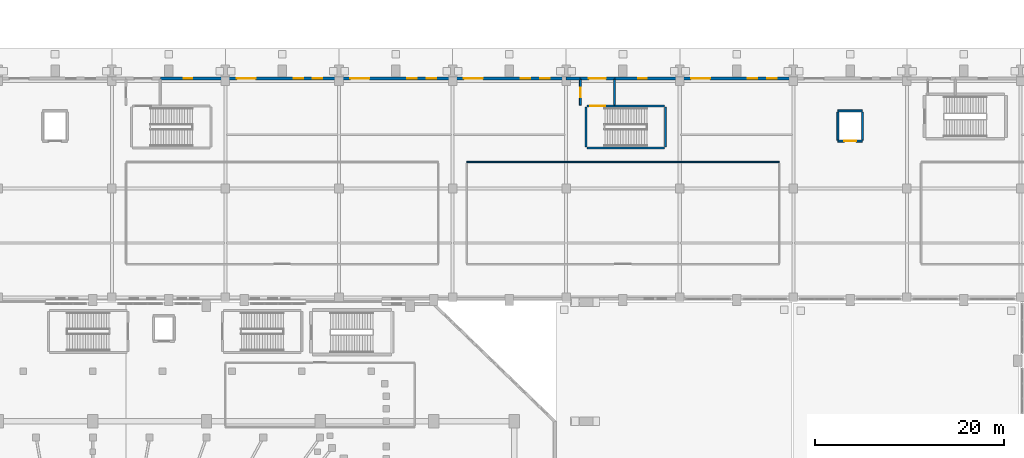
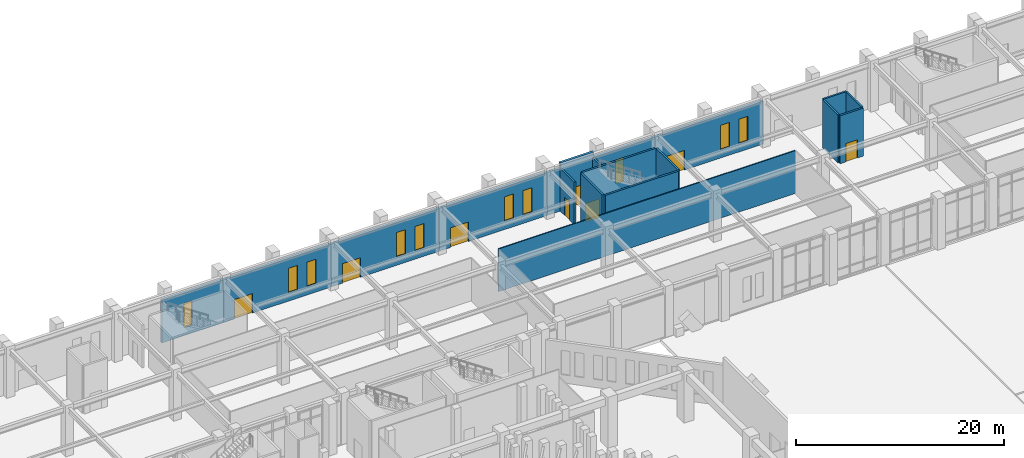
# One storey, part 120 of 143: 19 walls, 10 windows, 8 doors, 18 openings.
"""IFC4 building model written with IfcOpenShell, lengths in metres."""

from ifc_helpers import new_model, si_unit, derived_unit, direction, frame, frame_2d, origin, place, context, subcontext, project, spatial, rectangle, extrude, material, layer, layer_set, type_object, element, fill, save


model = new_model("IFC4")

# Units and contexts
model_context = context("Model", 3, precision=1e-05, world=origin(), true_north=direction((0.0, 1.0)))
body_context = subcontext(model_context, "Body", "Model", "MODEL_VIEW")
ifc_project = project(units=[si_unit("LENGTHUNIT", "METRE"), si_unit("AREAUNIT", "SQUARE_METRE"), si_unit("VOLUMEUNIT", "CUBIC_METRE"), si_unit("PLANEANGLEUNIT", "RADIAN"), si_unit("MASSUNIT", "GRAM", prefix="KILO"), derived_unit("THERMALTRANSMITTANCEUNIT", [(si_unit("MASSUNIT", "GRAM", prefix="KILO"), 1), (si_unit("TIMEUNIT", "SECOND"), -3), (si_unit("THERMODYNAMICTEMPERATUREUNIT", "KELVIN"), -1)])], contexts=[model_context])

# Site, building, storey
site_placement = place(None, origin())
site = spatial("IfcSite", under=ifc_project, at=site_placement, CompositionType="ELEMENT")
building_placement = place(site_placement, origin())
building = spatial("IfcBuilding", under=site, at=building_placement, Name="Valcora Ridge Arena", CompositionType="ELEMENT")
storey_placement = place(building_placement, origin())
storey = spatial("IfcBuildingStorey", under=building, at=storey_placement, Name="L00", CompositionType="ELEMENT", Elevation=0.0)

# Wall, opening, window
ifc_material_1 = material(Name="Bush-hammered Andean travertine on concrete backup C40/50", Category="masonry")
ifc_layer_1 = layer(ifc_material_1, 0.280029296875, Name="Bush-hammered Andean travertine on concrete backup C40/50")
ifc_layer_set_1 = layer_set([ifc_layer_1], Name="Bush-hammered Andean travertine on concrete backup C40/50")
wall_type_1 = type_object("IfcWallType", Name="TY-WALL-EW-TRV-28-50", PredefinedType="STANDARD", material=ifc_layer_set_1)
wall_1_placement = place(storey_placement, frame((65.14990234375, 131.820068359375, 0.0), z_axis=(0.0, 0.0, 1.0), x_axis=(1.0, 0.0, 0.0)))
wall_1 = element("IfcWall", 1, at=wall_1_placement, inside=storey, type_object=wall_type_1, Name="EW-TRV-28-50 WAL-EW-0109", PredefinedType="STANDARD", context=body_context, shape_type="SweptSolid", body=[
    extrude(rectangle(XDim=6.85009765625, YDim=0.280029296875, at=frame_2d((3.425048828125, 0.0))), origin(), (0.0, 0.0, 1.0), 5.028076171875),
])
opening_1_placement = place(wall_1_placement, frame((2.449951171875, 0.0, 0.949951171875)))
opening_1 = element("IfcOpeningElement", 2, at=opening_1_placement, cuts=wall_1, Name="Opening W-GLAN-90X285", PredefinedType="OPENING", context=body_context, shape_type="SweptSolid", body=[
    extrude(rectangle(XDim=0.89990234375, YDim=2.85009765625, at=frame_2d((0.449951171875, 1.425048828125))), frame((0.0, 0.14990234375, 0.0), z_axis=(0.0, -1.0, 0.0), x_axis=(1.0, 0.0, 0.0)), (0.0, 0.0, 1.0), 0.300048828125),
])
ifc_material_2 = material(Name="Low-iron solar-control double glazing SHGC 0.28", Category="glass")
window_type_1 = type_object("IfcWindowType", Name="TY-WINDOW-W-GLAN-90X285", PartitioningType="DOUBLE_PANEL_VERTICAL", PredefinedType="WINDOW", material=ifc_material_2)
window_1_placement = place(opening_1_placement, origin())
window_1 = element("IfcWindow", 3, at=window_1_placement, inside=storey, type_object=window_type_1, Name="W-GLAN-90X285 WIN-EX-0346", OverallHeight=2.85009765625, OverallWidth=0.89990234375, PartitioningType="DOUBLE_PANEL_VERTICAL", PredefinedType="WINDOW", context=body_context, shape_type="SweptSolid", body=[
    extrude(rectangle(XDim=0.89990234375, YDim=2.85009765625, at=frame_2d((0.449951171875, 1.425048828125))), frame((0.0, 0.030029296875, 0.0), z_axis=(0.0, -1.0, 0.0), x_axis=(1.0, 0.0, 0.0)), (0.0, 0.0, 1.0), 0.06005859375),
])
fill(opening_1, window_1)

# Wall, openings, door, windows
wall_2_placement = place(storey_placement, frame((72.0, 131.820068359375, 0.0), z_axis=(0.0, 0.0, 1.0), x_axis=(1.0, 0.0, 0.0)))
wall_2 = element("IfcWall", 4, at=wall_2_placement, inside=storey, type_object=wall_type_1, Name="EW-TRV-28-50 WAL-EW-0110", PredefinedType="STANDARD", context=body_context, shape_type="SweptSolid", body=[
    extrude(rectangle(XDim=12.0, YDim=0.280029296875, at=frame_2d((6.0, 0.0))), origin(), (0.0, 0.0, 1.0), 5.028076171875),
])
opening_2_placement = place(wall_2_placement, frame((1.199951171875, 0.0, 0.0)))
opening_2 = element("IfcOpeningElement", 5, at=opening_2_placement, cuts=wall_2, Name="Opening D-EXIT-2000", PredefinedType="OPENING", context=body_context, shape_type="SweptSolid", body=[
    extrude(rectangle(XDim=2.0, YDim=2.300048828125, at=frame_2d((1.0, 1.14990234375))), frame((0.0, 0.14990234375, 0.0), z_axis=(0.0, -1.0, 0.0), x_axis=(1.0, 0.0, 0.0)), (0.0, 0.0, 1.0), 0.300048828125),
])
opening_3_placement = place(wall_2_placement, frame((7.199951171875, 0.0, 1.0)))
opening_3 = element("IfcOpeningElement", 6, at=opening_3_placement, cuts=wall_2, Name="Opening W-LAN-100X285", PredefinedType="OPENING", context=body_context, shape_type="SweptSolid", body=[
    extrude(rectangle(XDim=1.0, YDim=2.85009765625, at=frame_2d((0.5, 1.425048828125))), frame((0.0, 0.14990234375, 0.0), z_axis=(0.0, -1.0, 0.0), x_axis=(1.0, 0.0, 0.0)), (0.0, 0.0, 1.0), 0.300048828125),
])
opening_4_placement = place(wall_2_placement, frame((9.25, 0.0, 1.0)))
opening_4 = element("IfcOpeningElement", 7, at=opening_4_placement, cuts=wall_2, Name="Opening W-LAN-100X285", PredefinedType="OPENING", context=body_context, shape_type="SweptSolid", body=[
    extrude(rectangle(XDim=1.0, YDim=2.85009765625, at=frame_2d((0.5, 1.425048828125))), frame((0.0, 0.14990234375, 0.0), z_axis=(0.0, -1.0, 0.0), x_axis=(1.0, 0.0, 0.0)), (0.0, 0.0, 1.0), 0.300048828125),
])
ifc_material_3 = material(Name="Thermally broken bronze aluminium glazed entrance leaf", Category="aluminium")
door_type_1 = type_object("IfcDoorType", Name="TY-DOOR-D-EXIT-2000", OperationType="NOTDEFINED", PredefinedType="DOOR", material=ifc_material_3)
door_1_placement = place(opening_2_placement, origin())
door_1 = element("IfcDoor", 8, at=door_1_placement, inside=storey, type_object=door_type_1, Name="D-EXIT-2000 DOR-EX-0028", OperationType="DOUBLE_DOOR_SINGLE_SWING", OverallHeight=2.300048828125, OverallWidth=2.0, PredefinedType="DOOR", context=body_context, shape_type="SweptSolid", body=[
    extrude(rectangle(XDim=2.0, YDim=2.300048828125, at=frame_2d((1.0, 1.14990234375))), frame((0.0, 0.02490234375, 0.0), z_axis=(0.0, -1.0, 0.0), x_axis=(1.0, 0.0, 0.0)), (0.0, 0.0, 1.0), 0.050048828125),
])
fill(opening_2, door_1)
window_type_2 = type_object("IfcWindowType", Name="TY-WINDOW-W-LAN-100X285", PartitioningType="DOUBLE_PANEL_VERTICAL", PredefinedType="WINDOW", material=ifc_material_2)
window_2_placement = place(opening_3_placement, origin())
window_2 = element("IfcWindow", 9, at=window_2_placement, inside=storey, type_object=window_type_2, Name="W-LAN-100X285 WIN-EX-0347", OverallHeight=2.85009765625, OverallWidth=1.0, PartitioningType="DOUBLE_PANEL_VERTICAL", PredefinedType="WINDOW", context=body_context, shape_type="SweptSolid", body=[
    extrude(rectangle(XDim=1.0, YDim=2.85009765625, at=frame_2d((0.5, 1.425048828125))), frame((0.0, 0.030029296875, 0.0), z_axis=(0.0, -1.0, 0.0), x_axis=(1.0, 0.0, 0.0)), (0.0, 0.0, 1.0), 0.06005859375),
])
fill(opening_3, window_2)
window_3_placement = place(opening_4_placement, origin())
window_3 = element("IfcWindow", 10, at=window_3_placement, inside=storey, type_object=window_type_2, Name="W-LAN-100X285 WIN-EX-0348", OverallHeight=2.85009765625, OverallWidth=1.0, PartitioningType="DOUBLE_PANEL_VERTICAL", PredefinedType="WINDOW", context=body_context, shape_type="SweptSolid", body=[
    extrude(rectangle(XDim=1.0, YDim=2.85009765625, at=frame_2d((0.5, 1.425048828125))), frame((0.0, 0.030029296875, 0.0), z_axis=(0.0, -1.0, 0.0), x_axis=(1.0, 0.0, 0.0)), (0.0, 0.0, 1.0), 0.06005859375),
])
fill(opening_4, window_3)

wall_3_placement = place(storey_placement, frame((84.0, 131.820068359375, 0.0), z_axis=(0.0, 0.0, 1.0), x_axis=(1.0, 0.0, 0.0)))
wall_3 = element("IfcWall", 11, at=wall_3_placement, inside=storey, type_object=wall_type_1, Name="EW-TRV-28-50 WAL-EW-0111", PredefinedType="STANDARD", context=body_context, shape_type="SweptSolid", body=[
    extrude(rectangle(XDim=12.0, YDim=0.280029296875, at=frame_2d((6.0, 0.0))), origin(), (0.0, 0.0, 1.0), 5.028076171875),
])
opening_5_placement = place(wall_3_placement, frame((1.199951171875, 0.0, 0.0)))
opening_5 = element("IfcOpeningElement", 12, at=opening_5_placement, cuts=wall_3, Name="Opening D-EXIT-2000", PredefinedType="OPENING", context=body_context, shape_type="SweptSolid", body=[
    extrude(rectangle(XDim=2.0, YDim=2.300048828125, at=frame_2d((1.0, 1.14990234375))), frame((0.0, 0.14990234375, 0.0), z_axis=(0.0, -1.0, 0.0), x_axis=(1.0, 0.0, 0.0)), (0.0, 0.0, 1.0), 0.300048828125),
])
opening_6_placement = place(wall_3_placement, frame((7.199951171875, 0.0, 1.0)))
opening_6 = element("IfcOpeningElement", 13, at=opening_6_placement, cuts=wall_3, Name="Opening W-LAN-100X285", PredefinedType="OPENING", context=body_context, shape_type="SweptSolid", body=[
    extrude(rectangle(XDim=1.0, YDim=2.85009765625, at=frame_2d((0.5, 1.425048828125))), frame((0.0, 0.14990234375, 0.0), z_axis=(0.0, -1.0, 0.0), x_axis=(1.0, 0.0, 0.0)), (0.0, 0.0, 1.0), 0.300048828125),
])
opening_7_placement = place(wall_3_placement, frame((9.25, 0.0, 1.0)))
opening_7 = element("IfcOpeningElement", 14, at=opening_7_placement, cuts=wall_3, Name="Opening W-LAN-100X285", PredefinedType="OPENING", context=body_context, shape_type="SweptSolid", body=[
    extrude(rectangle(XDim=1.0, YDim=2.85009765625, at=frame_2d((0.5, 1.425048828125))), frame((0.0, 0.14990234375, 0.0), z_axis=(0.0, -1.0, 0.0), x_axis=(1.0, 0.0, 0.0)), (0.0, 0.0, 1.0), 0.300048828125),
])
door_2_placement = place(opening_5_placement, origin())
door_2 = element("IfcDoor", 15, at=door_2_placement, inside=storey, type_object=door_type_1, Name="D-EXIT-2000 DOR-EX-0029", OperationType="DOUBLE_DOOR_SINGLE_SWING", OverallHeight=2.300048828125, OverallWidth=2.0, PredefinedType="DOOR", context=body_context, shape_type="SweptSolid", body=[
    extrude(rectangle(XDim=2.0, YDim=2.300048828125, at=frame_2d((1.0, 1.14990234375))), frame((0.0, 0.02490234375, 0.0), z_axis=(0.0, -1.0, 0.0), x_axis=(1.0, 0.0, 0.0)), (0.0, 0.0, 1.0), 0.050048828125),
])
fill(opening_5, door_2)
window_4_placement = place(opening_6_placement, origin())
window_4 = element("IfcWindow", 16, at=window_4_placement, inside=storey, type_object=window_type_2, Name="W-LAN-100X285 WIN-EX-0349", OverallHeight=2.85009765625, OverallWidth=1.0, PartitioningType="DOUBLE_PANEL_VERTICAL", PredefinedType="WINDOW", context=body_context, shape_type="SweptSolid", body=[
    extrude(rectangle(XDim=1.0, YDim=2.85009765625, at=frame_2d((0.5, 1.425048828125))), frame((0.0, 0.030029296875, 0.0), z_axis=(0.0, -1.0, 0.0), x_axis=(1.0, 0.0, 0.0)), (0.0, 0.0, 1.0), 0.06005859375),
])
fill(opening_6, window_4)
window_5_placement = place(opening_7_placement, origin())
window_5 = element("IfcWindow", 17, at=window_5_placement, inside=storey, type_object=window_type_2, Name="W-LAN-100X285 WIN-EX-0350", OverallHeight=2.85009765625, OverallWidth=1.0, PartitioningType="DOUBLE_PANEL_VERTICAL", PredefinedType="WINDOW", context=body_context, shape_type="SweptSolid", body=[
    extrude(rectangle(XDim=1.0, YDim=2.85009765625, at=frame_2d((0.5, 1.425048828125))), frame((0.0, 0.030029296875, 0.0), z_axis=(0.0, -1.0, 0.0), x_axis=(1.0, 0.0, 0.0)), (0.0, 0.0, 1.0), 0.06005859375),
])
fill(opening_7, window_5)

wall_4_placement = place(storey_placement, frame((96.0, 131.820068359375, 0.0), z_axis=(0.0, 0.0, 1.0), x_axis=(1.0, 0.0, 0.0)))
wall_4 = element("IfcWall", 18, at=wall_4_placement, inside=storey, type_object=wall_type_1, Name="EW-TRV-28-50 WAL-EW-0112", PredefinedType="STANDARD", context=body_context, shape_type="SweptSolid", body=[
    extrude(rectangle(XDim=12.0, YDim=0.280029296875, at=frame_2d((6.0, 0.0))), origin(), (0.0, 0.0, 1.0), 5.028076171875),
])
opening_8_placement = place(wall_4_placement, frame((1.199951171875, 0.0, 0.0)))
opening_8 = element("IfcOpeningElement", 19, at=opening_8_placement, cuts=wall_4, Name="Opening D-EXIT-2000", PredefinedType="OPENING", context=body_context, shape_type="SweptSolid", body=[
    extrude(rectangle(XDim=2.0, YDim=2.300048828125, at=frame_2d((1.0, 1.14990234375))), frame((0.0, 0.14990234375, 0.0), z_axis=(0.0, -1.0, 0.0), x_axis=(1.0, 0.0, 0.0)), (0.0, 0.0, 1.0), 0.300048828125),
])
opening_9_placement = place(wall_4_placement, frame((7.199951171875, 0.0, 1.0)))
opening_9 = element("IfcOpeningElement", 20, at=opening_9_placement, cuts=wall_4, Name="Opening W-LAN-100X285", PredefinedType="OPENING", context=body_context, shape_type="SweptSolid", body=[
    extrude(rectangle(XDim=1.0, YDim=2.85009765625, at=frame_2d((0.5, 1.425048828125))), frame((0.0, 0.14990234375, 0.0), z_axis=(0.0, -1.0, 0.0), x_axis=(1.0, 0.0, 0.0)), (0.0, 0.0, 1.0), 0.300048828125),
])
opening_10_placement = place(wall_4_placement, frame((9.25, 0.0, 1.0)))
opening_10 = element("IfcOpeningElement", 21, at=opening_10_placement, cuts=wall_4, Name="Opening W-LAN-100X285", PredefinedType="OPENING", context=body_context, shape_type="SweptSolid", body=[
    extrude(rectangle(XDim=1.0, YDim=2.85009765625, at=frame_2d((0.5, 1.425048828125))), frame((0.0, 0.14990234375, 0.0), z_axis=(0.0, -1.0, 0.0), x_axis=(1.0, 0.0, 0.0)), (0.0, 0.0, 1.0), 0.300048828125),
])
door_3_placement = place(opening_8_placement, origin())
door_3 = element("IfcDoor", 22, at=door_3_placement, inside=storey, type_object=door_type_1, Name="D-EXIT-2000 DOR-EX-0030", OperationType="DOUBLE_DOOR_SINGLE_SWING", OverallHeight=2.300048828125, OverallWidth=2.0, PredefinedType="DOOR", context=body_context, shape_type="SweptSolid", body=[
    extrude(rectangle(XDim=2.0, YDim=2.300048828125, at=frame_2d((1.0, 1.14990234375))), frame((0.0, 0.02490234375, 0.0), z_axis=(0.0, -1.0, 0.0), x_axis=(1.0, 0.0, 0.0)), (0.0, 0.0, 1.0), 0.050048828125),
])
fill(opening_8, door_3)
window_6_placement = place(opening_9_placement, origin())
window_6 = element("IfcWindow", 23, at=window_6_placement, inside=storey, type_object=window_type_2, Name="W-LAN-100X285 WIN-EX-0351", OverallHeight=2.85009765625, OverallWidth=1.0, PartitioningType="DOUBLE_PANEL_VERTICAL", PredefinedType="WINDOW", context=body_context, shape_type="SweptSolid", body=[
    extrude(rectangle(XDim=1.0, YDim=2.85009765625, at=frame_2d((0.5, 1.425048828125))), frame((0.0, 0.030029296875, 0.0), z_axis=(0.0, -1.0, 0.0), x_axis=(1.0, 0.0, 0.0)), (0.0, 0.0, 1.0), 0.06005859375),
])
fill(opening_9, window_6)
window_7_placement = place(opening_10_placement, origin())
window_7 = element("IfcWindow", 24, at=window_7_placement, inside=storey, type_object=window_type_2, Name="W-LAN-100X285 WIN-EX-0352", OverallHeight=2.85009765625, OverallWidth=1.0, PartitioningType="DOUBLE_PANEL_VERTICAL", PredefinedType="WINDOW", context=body_context, shape_type="SweptSolid", body=[
    extrude(rectangle(XDim=1.0, YDim=2.85009765625, at=frame_2d((0.5, 1.425048828125))), frame((0.0, 0.030029296875, 0.0), z_axis=(0.0, -1.0, 0.0), x_axis=(1.0, 0.0, 0.0)), (0.0, 0.0, 1.0), 0.06005859375),
])
fill(opening_10, window_7)

# Wall
wall_5_placement = place(storey_placement, frame((108.0, 131.820068359375, 0.0), z_axis=(0.0, 0.0, 1.0), x_axis=(1.0, 0.0, 0.0)))
element("IfcWall", 25, at=wall_5_placement, inside=storey, type_object=wall_type_1, Name="EW-TRV-28-50 WAL-EW-0113", PredefinedType="STANDARD", context=body_context, shape_type="SweptSolid", body=[
    extrude(rectangle(XDim=1.449951171875, YDim=0.280029296875, at=frame_2d((0.72509765625, 0.0))), origin(), (0.0, 0.0, 1.0), 5.028076171875),
])

# Wall, opening, window
wall_6_placement = place(storey_placement, frame((113.14990234375, 131.820068359375, 0.0), z_axis=(0.0, 0.0, 1.0), x_axis=(1.0, 0.0, 0.0)))
wall_6 = element("IfcWall", 26, at=wall_6_placement, inside=storey, type_object=wall_type_1, Name="EW-TRV-28-50 WAL-EW-0114", PredefinedType="STANDARD", context=body_context, shape_type="SweptSolid", body=[
    extrude(rectangle(XDim=6.85009765625, YDim=0.280029296875, at=frame_2d((3.425048828125, 0.0))), origin(), (0.0, 0.0, 1.0), 5.028076171875),
])
opening_11_placement = place(wall_6_placement, frame((2.449951171875, 0.0, 0.949951171875)))
opening_11 = element("IfcOpeningElement", 27, at=opening_11_placement, cuts=wall_6, Name="Opening W-GLAN-90X285", PredefinedType="OPENING", context=body_context, shape_type="SweptSolid", body=[
    extrude(rectangle(XDim=0.89990234375, YDim=2.85009765625, at=frame_2d((0.449951171875, 1.425048828125))), frame((0.0, 0.14990234375, 0.0), z_axis=(0.0, -1.0, 0.0), x_axis=(1.0, 0.0, 0.0)), (0.0, 0.0, 1.0), 0.300048828125),
])
window_8_placement = place(opening_11_placement, origin())
window_8 = element("IfcWindow", 28, at=window_8_placement, inside=storey, type_object=window_type_1, Name="W-GLAN-90X285 WIN-EX-0353", OverallHeight=2.85009765625, OverallWidth=0.89990234375, PartitioningType="DOUBLE_PANEL_VERTICAL", PredefinedType="WINDOW", context=body_context, shape_type="SweptSolid", body=[
    extrude(rectangle(XDim=0.89990234375, YDim=2.85009765625, at=frame_2d((0.449951171875, 1.425048828125))), frame((0.0, 0.030029296875, 0.0), z_axis=(0.0, -1.0, 0.0), x_axis=(1.0, 0.0, 0.0)), (0.0, 0.0, 1.0), 0.06005859375),
])
fill(opening_11, window_8)

# Wall, openings, door, windows
wall_7_placement = place(storey_placement, frame((120.0, 131.820068359375, 0.0), z_axis=(0.0, 0.0, 1.0), x_axis=(1.0, 0.0, 0.0)))
wall_7 = element("IfcWall", 29, at=wall_7_placement, inside=storey, type_object=wall_type_1, Name="EW-TRV-28-50 WAL-EW-0115", PredefinedType="STANDARD", context=body_context, shape_type="SweptSolid", body=[
    extrude(rectangle(XDim=12.0, YDim=0.280029296875, at=frame_2d((6.0, 0.0))), origin(), (0.0, 0.0, 1.0), 5.028076171875),
])
opening_12_placement = place(wall_7_placement, frame((1.199951171875, 0.0, 0.0)))
opening_12 = element("IfcOpeningElement", 30, at=opening_12_placement, cuts=wall_7, Name="Opening D-EXIT-2000", PredefinedType="OPENING", context=body_context, shape_type="SweptSolid", body=[
    extrude(rectangle(XDim=2.0, YDim=2.300048828125, at=frame_2d((1.0, 1.14990234375))), frame((0.0, 0.14990234375, 0.0), z_axis=(0.0, -1.0, 0.0), x_axis=(1.0, 0.0, 0.0)), (0.0, 0.0, 1.0), 0.300048828125),
])
opening_13_placement = place(wall_7_placement, frame((7.199951171875, 0.0, 1.0)))
opening_13 = element("IfcOpeningElement", 31, at=opening_13_placement, cuts=wall_7, Name="Opening W-LAN-100X285", PredefinedType="OPENING", context=body_context, shape_type="SweptSolid", body=[
    extrude(rectangle(XDim=1.0, YDim=2.85009765625, at=frame_2d((0.5, 1.425048828125))), frame((0.0, 0.14990234375, 0.0), z_axis=(0.0, -1.0, 0.0), x_axis=(1.0, 0.0, 0.0)), (0.0, 0.0, 1.0), 0.300048828125),
])
opening_14_placement = place(wall_7_placement, frame((9.25, 0.0, 1.0)))
opening_14 = element("IfcOpeningElement", 32, at=opening_14_placement, cuts=wall_7, Name="Opening W-LAN-100X285", PredefinedType="OPENING", context=body_context, shape_type="SweptSolid", body=[
    extrude(rectangle(XDim=1.0, YDim=2.85009765625, at=frame_2d((0.5, 1.425048828125))), frame((0.0, 0.14990234375, 0.0), z_axis=(0.0, -1.0, 0.0), x_axis=(1.0, 0.0, 0.0)), (0.0, 0.0, 1.0), 0.300048828125),
])
door_4_placement = place(opening_12_placement, origin())
door_4 = element("IfcDoor", 33, at=door_4_placement, inside=storey, type_object=door_type_1, Name="D-EXIT-2000 DOR-EX-0031", OperationType="DOUBLE_DOOR_SINGLE_SWING", OverallHeight=2.300048828125, OverallWidth=2.0, PredefinedType="DOOR", context=body_context, shape_type="SweptSolid", body=[
    extrude(rectangle(XDim=2.0, YDim=2.300048828125, at=frame_2d((1.0, 1.14990234375))), frame((0.0, 0.02490234375, 0.0), z_axis=(0.0, -1.0, 0.0), x_axis=(1.0, 0.0, 0.0)), (0.0, 0.0, 1.0), 0.050048828125),
])
fill(opening_12, door_4)
window_9_placement = place(opening_13_placement, origin())
window_9 = element("IfcWindow", 34, at=window_9_placement, inside=storey, type_object=window_type_2, Name="W-LAN-100X285 WIN-EX-0354", OverallHeight=2.85009765625, OverallWidth=1.0, PartitioningType="DOUBLE_PANEL_VERTICAL", PredefinedType="WINDOW", context=body_context, shape_type="SweptSolid", body=[
    extrude(rectangle(XDim=1.0, YDim=2.85009765625, at=frame_2d((0.5, 1.425048828125))), frame((0.0, 0.030029296875, 0.0), z_axis=(0.0, -1.0, 0.0), x_axis=(1.0, 0.0, 0.0)), (0.0, 0.0, 1.0), 0.06005859375),
])
fill(opening_13, window_9)
window_10_placement = place(opening_14_placement, origin())
window_10 = element("IfcWindow", 35, at=window_10_placement, inside=storey, type_object=window_type_2, Name="W-LAN-100X285 WIN-EX-0355", OverallHeight=2.85009765625, OverallWidth=1.0, PartitioningType="DOUBLE_PANEL_VERTICAL", PredefinedType="WINDOW", context=body_context, shape_type="SweptSolid", body=[
    extrude(rectangle(XDim=1.0, YDim=2.85009765625, at=frame_2d((0.5, 1.425048828125))), frame((0.0, 0.030029296875, 0.0), z_axis=(0.0, -1.0, 0.0), x_axis=(1.0, 0.0, 0.0)), (0.0, 0.0, 1.0), 0.06005859375),
])
fill(opening_14, window_10)

# Wall, opening, door
ifc_layer_2 = layer(ifc_material_1, 0.280029296875, Name="Bush-hammered Andean travertine on concrete backup C40/50")
ifc_layer_set_2 = layer_set([ifc_layer_2], Name="Bush-hammered Andean travertine on concrete backup C40/50")
wall_type_2 = type_object("IfcWallType", Name="TY-WALL-EW-TRV-XP-56", PredefinedType="STANDARD", material=ifc_layer_set_2)
wall_8_placement = place(storey_placement, frame((109.449951171875, 131.820068359375, 0.0), z_axis=(0.0, 0.0, 1.0), x_axis=(1.0, 0.0, 0.0)))
wall_8 = element("IfcWall", 36, at=wall_8_placement, inside=storey, type_object=wall_type_2, Name="EW-TRV-XP-56 WAL-XP-0029", PredefinedType="STANDARD", context=body_context, shape_type="SweptSolid", body=[
    extrude(rectangle(XDim=3.699951171875, YDim=0.280029296875, at=frame_2d((1.85009765625, 0.0))), origin(), (0.0, 0.0, 1.0), 5.639892578125),
])
opening_15_placement = place(wall_8_placement, frame((0.949951171875, 0.0, 0.0)))
opening_15 = element("IfcOpeningElement", 37, at=opening_15_placement, cuts=wall_8, Name="Opening D-EXP-1800", PredefinedType="OPENING", context=body_context, shape_type="SweptSolid", body=[
    extrude(rectangle(XDim=1.800048828125, YDim=2.25, at=frame_2d((0.89990234375, 1.125))), frame((0.0, 0.14990234375, 0.0), z_axis=(0.0, -1.0, 0.0), x_axis=(1.0, 0.0, 0.0)), (0.0, 0.0, 1.0), 0.300048828125),
])
ifc_material_4 = material(Name="Insulated fire-rated steel door leaf", Category="steel")
door_type_2 = type_object("IfcDoorType", Name="TY-DOOR-D-EXP-1800", OperationType="NOTDEFINED", PredefinedType="DOOR", material=ifc_material_4)
door_5_placement = place(opening_15_placement, origin())
door_5 = element("IfcDoor", 38, at=door_5_placement, inside=storey, type_object=door_type_2, Name="Final Exit Discharge Door ES10", OperationType="DOUBLE_DOOR_SINGLE_SWING", OverallHeight=2.25, OverallWidth=1.800048828125, PredefinedType="DOOR", context=body_context, shape_type="SweptSolid", body=[
    extrude(rectangle(XDim=1.800048828125, YDim=2.25, at=frame_2d((0.89990234375, 1.125))), frame((0.0, 0.02490234375, 0.0), z_axis=(0.0, -1.0, 0.0), x_axis=(1.0, 0.0, 0.0)), (0.0, 0.0, 1.0), 0.050048828125),
])
fill(opening_15, door_5)

ifc_material_5 = material(Name="Fire-resisting reinforced concrete enclosure C40/50 200 mm", Category="concrete")
ifc_layer_3 = layer(ifc_material_5, 0.199951171875, Name="Fire-resisting reinforced concrete enclosure C40/50 200 mm")
ifc_layer_set_3 = layer_set([ifc_layer_3], Name="Fire-resisting reinforced concrete enclosure C40/50 200 mm")
wall_type_3 = type_object("IfcWallType", Name="TY-WALL-IW-FIRE-200", PredefinedType="STANDARD", material=ifc_layer_set_3)
wall_9_placement = place(storey_placement, frame((109.5, 129.010009765625, 0.0), z_axis=(0.0, 0.0, 1.0), x_axis=(0.0, 1.0, 0.0)))
wall_9 = element("IfcWall", 39, at=wall_9_placement, inside=storey, type_object=wall_type_3, Name="IW-FIRE-200 WAL-XP-0030", PredefinedType="STANDARD", context=body_context, shape_type="SweptSolid", body=[
    extrude(rectangle(XDim=2.7099609375, YDim=0.199951171875, at=frame_2d((1.35498046875, 0.0))), origin(), (0.0, 0.0, 1.0), 5.028076171875),
])
opening_16_placement = place(wall_9_placement, frame((0.85498046875, 0.0, 0.0)))
opening_16 = element("IfcOpeningElement", 40, at=opening_16_placement, cuts=wall_9, Name="Opening FD-STE-1000", PredefinedType="OPENING", context=body_context, shape_type="SweptSolid", body=[
    extrude(rectangle(XDim=1.0, YDim=2.14990234375, at=frame_2d((0.5, 1.074951171875))), frame((0.0, 0.10986328125, 0.0), z_axis=(0.0, -1.0, 0.0), x_axis=(1.0, 0.0, 0.0)), (0.0, 0.0, 1.0), 0.219970703125),
])
door_type_3 = type_object("IfcDoorType", Name="TY-DOOR-FD-STE-1000", OperationType="NOTDEFINED", PredefinedType="DOOR", material=ifc_material_4)
door_6_placement = place(opening_16_placement, origin())
door_6 = element("IfcDoor", 41, at=door_6_placement, inside=storey, type_object=door_type_3, Name="FD-STE-1000 DOR-XP-0020", OperationType="SINGLE_SWING_LEFT", OverallHeight=2.14990234375, OverallWidth=1.0, PredefinedType="DOOR", context=body_context, shape_type="SweptSolid", body=[
    extrude(rectangle(XDim=1.0, YDim=2.14990234375, at=frame_2d((0.5, 1.074951171875))), frame((0.0, 0.02490234375, 0.0), z_axis=(0.0, -1.0, 0.0), x_axis=(1.0, 0.0, 0.0)), (0.0, 0.0, 1.0), 0.050048828125),
])
fill(opening_16, door_6)

# Walls
wall_10_placement = place(storey_placement, frame((113.10009765625, 129.010009765625, 0.0), z_axis=(0.0, 0.0, 1.0), x_axis=(0.0, 1.0, 0.0)))
element("IfcWall", 42, at=wall_10_placement, inside=storey, type_object=wall_type_3, Name="IW-FIRE-200 WAL-XP-0031", PredefinedType="STANDARD", context=body_context, shape_type="SweptSolid", body=[
    extrude(rectangle(XDim=2.7099609375, YDim=0.199951171875, at=frame_2d((1.35498046875, 0.0))), origin(), (0.0, 0.0, 1.0), 5.028076171875),
])
ifc_material_6 = material(Name="Acoustic metal-stud gypsum partition 120 mm")
ifc_layer_4 = layer(ifc_material_6, 0.1201171875, Name="Acoustic metal-stud gypsum partition 120 mm")
ifc_layer_set_4 = layer_set([ifc_layer_4], Name="Acoustic metal-stud gypsum partition 120 mm")
wall_type_4 = type_object("IfcWallType", Name="TY-WALL-IW-PART-120", PredefinedType="PARTITIONING", material=ifc_layer_set_4)
wall_11_placement = place(storey_placement, frame((97.5, 123.0, 0.0), z_axis=(0.0, 0.0, 1.0), x_axis=(1.0, 0.0, 0.0)))
element("IfcWall", 43, at=wall_11_placement, inside=storey, type_object=wall_type_4, Name="IW-PART-120 WAL-IN-0278", PredefinedType="PARTITIONING", context=body_context, shape_type="SweptSolid", body=[
    extrude(rectangle(XDim=33.0, YDim=0.1201171875, at=frame_2d((16.5, 0.0))), origin(), (0.0, 0.0, 1.0), 5.028076171875),
])

# Wall, opening, door
ifc_material_7 = material(Name="Concrete C40/50", Category="concrete")
ifc_layer_5 = layer(ifc_material_7, 0.199951171875, Name="Concrete C40/50")
ifc_layer_set_5 = layer_set([ifc_layer_5], Name="Concrete C40/50")
wall_type_5 = type_object("IfcWallType", Name="TY-WALL-IW-SHF-200", PredefinedType="STANDARD", material=ifc_layer_set_5)
wall_12_placement = place(storey_placement, frame((136.699951171875, 125.199951171875, 0.0), z_axis=(0.0, 0.0, 1.0), x_axis=(1.0, 0.0, 0.0)))
wall_12 = element("IfcWall", 44, at=wall_12_placement, inside=storey, type_object=wall_type_5, Name="IW-SHF-200 WAL-SH-0269", PredefinedType="STANDARD", context=body_context, shape_type="SweptSolid", body=[
    extrude(rectangle(XDim=2.60009765625, YDim=0.199951171875, at=frame_2d((1.300048828125, 0.0))), origin(), (0.0, 0.0, 1.0), 5.639892578125),
])
opening_17_placement = place(wall_12_placement, frame((0.64990234375, 0.0, 0.0)))
opening_17 = element("IfcOpeningElement", 45, at=opening_17_placement, cuts=wall_12, Name="Opening LD-GDS", PredefinedType="OPENING", context=body_context, shape_type="SweptSolid", body=[
    extrude(rectangle(XDim=1.300048828125, YDim=2.14990234375, at=frame_2d((0.64990234375, 1.074951171875))), frame((0.0, 0.10986328125, 0.0), z_axis=(0.0, -1.0, 0.0), x_axis=(1.0, 0.0, 0.0)), (0.0, 0.0, 1.0), 0.219970703125),
])
ifc_material_8 = material(Name="Insulated fire-rated hollow metal steel", Category="steel")
door_type_4 = type_object("IfcDoorType", Name="TY-DOOR-LD-GDS", OperationType="NOTDEFINED", PredefinedType="DOOR", material=ifc_material_8)
door_7_placement = place(opening_17_placement, origin())
door_7 = element("IfcDoor", 46, at=door_7_placement, inside=storey, type_object=door_type_4, Name="GL2 Landing Door L00", OperationType="SLIDING_TO_LEFT", OverallHeight=2.14990234375, OverallWidth=1.300048828125, PredefinedType="DOOR", context=body_context, shape_type="SweptSolid", body=[
    extrude(rectangle(XDim=1.300048828125, YDim=2.14990234375, at=frame_2d((0.64990234375, 1.074951171875))), frame((0.0, 0.02490234375, 0.0), z_axis=(0.0, -1.0, 0.0), x_axis=(1.0, 0.0, 0.0)), (0.0, 0.0, 1.0), 0.050048828125),
])
fill(opening_17, door_7)

# Walls
wall_13_placement = place(storey_placement, frame((136.699951171875, 128.39990234375, 0.0), z_axis=(0.0, 0.0, 1.0), x_axis=(1.0, 0.0, 0.0)))
element("IfcWall", 47, at=wall_13_placement, inside=storey, type_object=wall_type_5, Name="IW-SHF-200 WAL-SH-0270", PredefinedType="STANDARD", context=body_context, shape_type="SweptSolid", body=[
    extrude(rectangle(XDim=2.60009765625, YDim=0.199951171875, at=frame_2d((1.300048828125, 0.0))), origin(), (0.0, 0.0, 1.0), 5.639892578125),
])
for number, where, z_axis, x_axis, name in (
    (48, (136.699951171875, 125.320068359375, 0.0), (0.0, 0.0, 1.0), (0.0, 1.0, 0.0), "IW-SHF-200 WAL-SH-0271"),
    (49, (139.300048828125, 125.320068359375, 0.0), (0.0, 0.0, 1.0), (0.0, 1.0, 0.0), "IW-SHF-200 WAL-SH-0272"),
):
    element("IfcWall", number, at=place(storey_placement, frame(where, z_axis=z_axis, x_axis=x_axis)), inside=storey, type_object=wall_type_5, Name=name, PredefinedType="STANDARD", context=body_context, shape_type="SweptSolid", body=[
        extrude(rectangle(XDim=2.9599609375, YDim=0.199951171875, at=frame_2d((1.47998046875, 0.0))), origin(), (0.0, 0.0, 1.0), 5.639892578125),
    ])
ifc_layer_6 = layer(ifc_material_5, 0.219970703125, Name="Fire-resisting reinforced concrete enclosure C40/50 200 mm")
ifc_layer_set_6 = layer_set([ifc_layer_6], Name="Fire-resisting reinforced concrete enclosure C40/50 200 mm")
wall_type_6 = type_object("IfcWallType", Name="TY-WALL-SW-ES-220", PredefinedType="SHEAR", material=ifc_layer_set_6)
wall_14_placement = place(storey_placement, frame((110.199951171875, 124.489990234375, 0.0), z_axis=(0.0, 0.0, 1.0), x_axis=(1.0, 0.0, 0.0)))
element("IfcWall", 50, at=wall_14_placement, inside=storey, type_object=wall_type_6, Name="SW-ES-220 WAL-ES-0189", PredefinedType="SHEAR", context=body_context, shape_type="SweptSolid", body=[
    extrude(rectangle(XDim=8.16015625, YDim=0.219970703125, at=frame_2d((4.080078125, 0.0))), origin(), (0.0, 0.0, 1.0), 6.0),
])

# Wall, opening, door
wall_15_placement = place(storey_placement, frame((110.199951171875, 128.909912109375, 0.0), z_axis=(0.0, 0.0, 1.0), x_axis=(1.0, 0.0, 0.0)))
wall_15 = element("IfcWall", 51, at=wall_15_placement, inside=storey, type_object=wall_type_6, Name="SW-ES-220 WAL-ES-0190", PredefinedType="SHEAR", context=body_context, shape_type="SweptSolid", body=[
    extrude(rectangle(XDim=8.16015625, YDim=0.219970703125, at=frame_2d((4.080078125, 0.0))), origin(), (0.0, 0.0, 1.0), 6.0),
])
opening_18_placement = place(wall_15_placement, frame((0.35009765625, 0.0, 0.0)))
opening_18 = element("IfcOpeningElement", 52, at=opening_18_placement, cuts=wall_15, Name="Opening FD-02", PredefinedType="OPENING", context=body_context, shape_type="SweptSolid", body=[
    extrude(rectangle(XDim=1.60009765625, YDim=2.199951171875, at=frame_2d((0.800048828125, 1.10009765625))), frame((0.0, 0.119873046875, 0.0), z_axis=(0.0, -1.0, 0.0), x_axis=(1.0, 0.0, 0.0)), (0.0, 0.0, 1.0), 0.239990234375),
])
door_type_5 = type_object("IfcDoorType", Name="TY-DOOR-FD-02", OperationType="NOTDEFINED", PredefinedType="DOOR", material=ifc_material_4)
door_8_placement = place(opening_18_placement, origin())
door_8 = element("IfcDoor", 53, at=door_8_placement, inside=storey, type_object=door_type_5, Name="FD-02 DOR-ES-0042", OperationType="DOUBLE_DOOR_SINGLE_SWING", OverallHeight=2.199951171875, OverallWidth=1.60009765625, PredefinedType="DOOR", context=body_context, shape_type="SweptSolid", body=[
    extrude(rectangle(XDim=1.60009765625, YDim=2.199951171875, at=frame_2d((0.800048828125, 1.10009765625))), frame((0.0, 0.02490234375, 0.0), z_axis=(0.0, -1.0, 0.0), x_axis=(1.0, 0.0, 0.0)), (0.0, 0.0, 1.0), 0.050048828125),
])
fill(opening_18, door_8)

# Walls
for number, where, z_axis, x_axis, name in (
    (54, (110.090087890625, 124.60009765625, 0.0), (0.0, 0.0, 1.0), (0.0, 1.0, 0.0), "SW-ES-220 WAL-ES-0191"),
    (55, (118.469970703125, 124.60009765625, 0.0), (0.0, 0.0, 1.0), (0.0, 1.0, 0.0), "SW-ES-220 WAL-ES-0192"),
):
    element("IfcWall", number, at=place(storey_placement, frame(where, z_axis=z_axis, x_axis=x_axis)), inside=storey, type_object=wall_type_6, Name=name, PredefinedType="SHEAR", context=body_context, shape_type="SweptSolid", body=[
        extrude(rectangle(XDim=4.199951171875, YDim=0.219970703125, at=frame_2d((2.10009765625, 0.0))), origin(), (0.0, 0.0, 1.0), 6.0),
    ])

save(model, "model.ifc")
